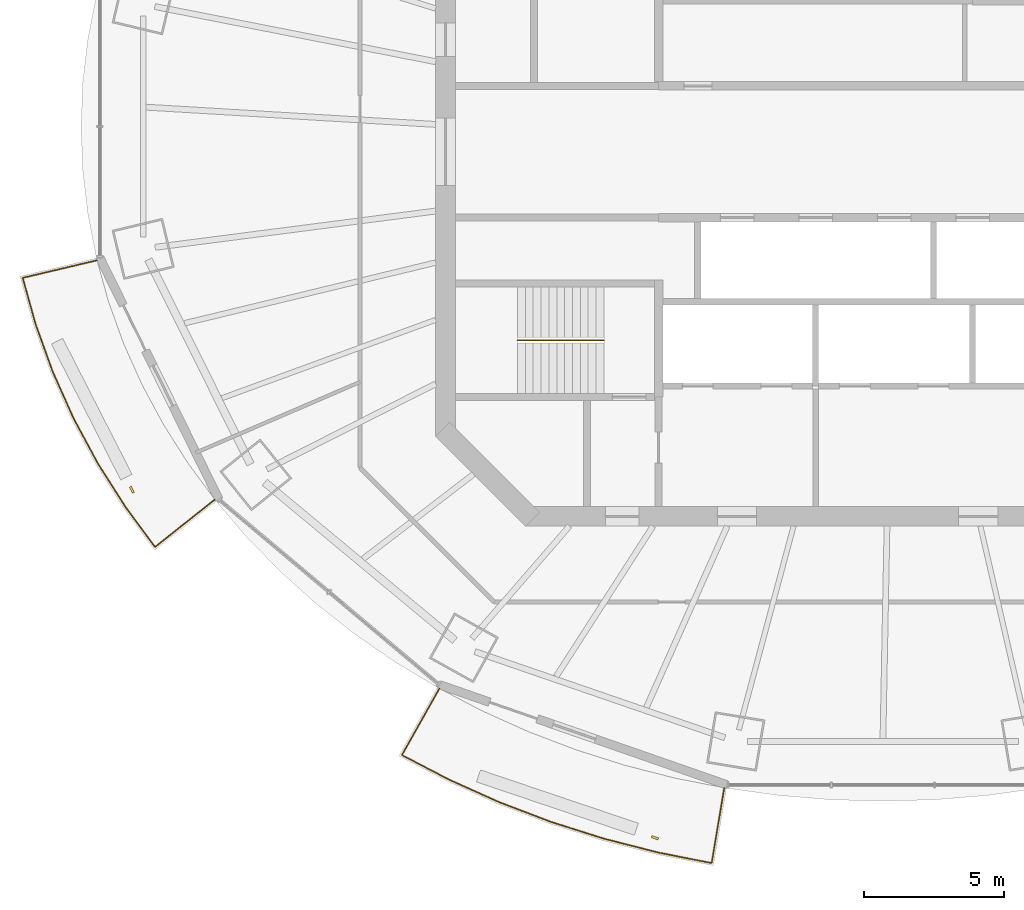
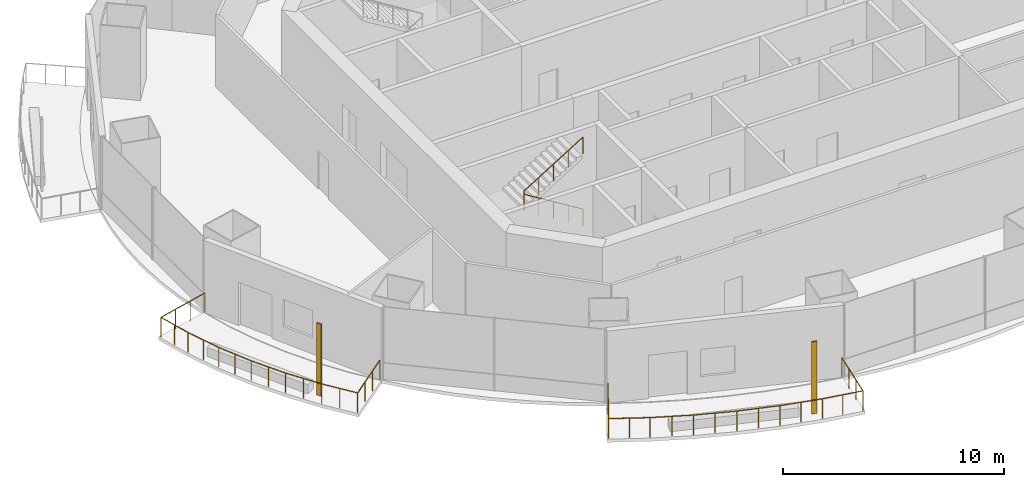
# One storey, part 12 of 16: 3 railings, 2 shading devices.
"""IFC4 building model written with IfcOpenShell, lengths in metres."""

import ifcopenshell
import ifcopenshell.guid

model = None  # the IFC model being written
_history = None  # IfcOwnerHistory: only IFC2X3 demands one
_inside = {}  # id of a spatial element -> (the spatial element, [elements in it])
_under = {}  # id of a project, library or spatial element -> (it, [spatial elements below it])
_declared = {}  # id of a project -> (the project, [libraries it declares])
_typed = {}  # id of a type object -> (the type object, [elements of that type])
_made_of = {}  # id of a material, layer set ... -> (it, [elements and type objects made of it])


def new_model(schema):
    """Start an empty IFC model of exactly this schema.

    Asked for "IFC4X3", IfcOpenShell would pick the latest addendum, in which some entities
    have other attributes; the version numbers below select the first issue.
    IFC2X3 requires an IfcOwnerHistory on every rooted entity: one is made here for all.
    """
    global model, _history
    if schema == "IFC4X3":
        model = ifcopenshell.file(schema_version=(4, 3, 0, 0))
    else:
        model = ifcopenshell.file(schema=schema)
    _inside.clear()
    _under.clear()
    _declared.clear()
    _typed.clear()
    _made_of.clear()
    _history = None
    if model.schema == "IFC2X3":
        org = make("IfcOrganization", Name="unknown")
        user = make(
            "IfcPersonAndOrganization",
            ThePerson=make("IfcPerson", FamilyName="unknown"),
            TheOrganization=org,
        )
        app = make(
            "IfcApplication",
            ApplicationDeveloper=org,
            Version="unknown",
            ApplicationFullName="unknown",
            ApplicationIdentifier="unknown",
        )
        _history = make(
            "IfcOwnerHistory",
            OwningUser=user,
            OwningApplication=app,
            ChangeAction="ADDED",
            CreationDate=0,
        )
    return model


def make(cls, **values):
    """One entity of the class cls with the attributes given. An attribute that is None is left unset."""
    return model.create_entity(
        cls, **{name: value for name, value in values.items() if value is not None}
    )


def rooted(cls, **values):
    """An entity with a GlobalId (a new one), such as an element, a storey or a relation."""
    return make(cls, GlobalId=ifcopenshell.guid.new(), OwnerHistory=_history, **values)


def si_unit(unit_type, name, prefix=None):
    """IfcSIUnit, for example si_unit("LENGTHUNIT", "METRE", prefix="MILLI")."""
    return make("IfcSIUnit", UnitType=unit_type, Prefix=prefix, Name=name)


def assignment(units):
    """IfcUnitAssignment: the units of a project."""
    return None if units is None else make("IfcUnitAssignment", Units=units)


def point(xyz):
    """IfcCartesianPoint."""
    return None if xyz is None else make("IfcCartesianPoint", Coordinates=xyz)


def direction(xyz):
    """IfcDirection."""
    return None if xyz is None else make("IfcDirection", DirectionRatios=xyz)


def frame(location, z_axis=None, x_axis=None):
    """IfcAxis2Placement3D, a coordinate frame: its origin and axes. An axis left out is left unset."""
    return make(
        "IfcAxis2Placement3D",
        Location=point(location),
        Axis=direction(z_axis),
        RefDirection=direction(x_axis),
    )


def frame_2d(location, x_axis=None):
    """IfcAxis2Placement2D, a coordinate frame in the plane: its origin and x axis."""
    return make(
        "IfcAxis2Placement2D", Location=point(location), RefDirection=direction(x_axis)
    )


def origin():
    """The frame at (0, 0, 0) with its axes left unset."""
    return frame((0.0, 0.0, 0.0))


def origin_2d():
    """The frame at (0, 0) in the plane with its x axis left unset."""
    return frame_2d((0.0, 0.0))


def place(relative_to, where):
    """IfcLocalPlacement: puts the frame where relative to a parent placement (None: the world)."""
    return make(
        "IfcLocalPlacement", PlacementRelTo=relative_to, RelativePlacement=where
    )


def context(
    kind, dimensions, precision=None, world=None, true_north=None, identifier=None
):
    """IfcGeometricRepresentationContext, for example the 3D "Model" context."""
    return make(
        "IfcGeometricRepresentationContext",
        ContextIdentifier=identifier,
        ContextType=kind,
        CoordinateSpaceDimension=dimensions,
        Precision=precision,
        WorldCoordinateSystem=world,
        TrueNorth=true_north,
    )


def subcontext(parent, identifier, kind, view, scale=None):
    """IfcGeometricRepresentationSubContext, for example "Body" below "Model"."""
    return make(
        "IfcGeometricRepresentationSubContext",
        ContextIdentifier=identifier,
        ContextType=kind,
        ParentContext=parent,
        TargetScale=scale,
        TargetView=view,
    )


def project(units=None, contexts=None):
    """IfcProject with its units and contexts."""
    return rooted(
        "IfcProject",
        Name="project",
        RepresentationContexts=contexts,
        UnitsInContext=assignment(units),
    )


def spatial(cls, under=None, at=None, **own):
    """A site, building, storey or space (cls), placed at a placement, below another one or the project."""
    s = rooted(cls, ObjectPlacement=at, **own)
    if under is not None:
        _under.setdefault(under.id(), (under, []))[1].append(s)
    return s


def profile(cls, at=None, kind="AREA", **sizes):
    """A parametric profile (cls). Its sizes go by their IFC names, for example OverallWidth=200.0."""
    return make(cls, ProfileType=kind, Position=at, **sizes)


def rectangle(**sizes):
    """IfcRectangleProfileDef."""
    return profile("IfcRectangleProfileDef", **sizes)


def circle(**sizes):
    """IfcCircleProfileDef."""
    return profile("IfcCircleProfileDef", **sizes)


def extrude(swept, where, along, depth):
    """IfcExtrudedAreaSolid: the profile swept, set in the frame where, extruded along a direction by depth."""
    return make(
        "IfcExtrudedAreaSolid",
        SweptArea=swept,
        Position=where,
        ExtrudedDirection=direction(along),
        Depth=depth,
    )


def shape(context_of_items, identifier, shape_type, items):
    """IfcShapeRepresentation: the items that make up one representation, for example the "Body"."""
    return make(
        "IfcShapeRepresentation",
        ContextOfItems=context_of_items,
        RepresentationIdentifier=identifier,
        RepresentationType=shape_type,
        Items=items,
    )


def material(Name=None, Category=None):
    """IfcMaterial."""
    return make("IfcMaterial", Name=Name, Category=Category)


def material_profile(
    of_material, cross_section, Name=None, Category=None, Priority=None
):
    """IfcMaterialProfile: a cross section and its material."""
    return make(
        "IfcMaterialProfile",
        Name=Name,
        Material=of_material,
        Profile=cross_section,
        Priority=Priority,
        Category=Category,
    )


def profile_set(profiles, Name=None, composite=None):
    """IfcMaterialProfileSet."""
    return make(
        "IfcMaterialProfileSet",
        Name=Name,
        MaterialProfiles=profiles,
        CompositeProfile=composite,
    )


def made_of(thing, what):
    """Note that an element or type object is made of a material, layer set ...; save() writes the relation."""
    if what is not None:
        _made_of.setdefault(what.id(), (what, []))[1].append(thing)
    return thing


def type_object(cls, material=None, **own):
    """A type object (cls), such as IfcWallType, which elements share."""
    return made_of(rooted(cls, **own), material)


def element(
    cls,
    number,
    at=None,
    inside=None,
    cuts=None,
    type_object=None,
    material=None,
    context=None,
    identifier="Body",
    shape_type=None,
    held_by="IfcProductDefinitionShape",
    body=None,
    shapes=None,
    **own,
):
    """One element of the class cls, such as IfcWall. Its Tag is "e" and its number.

    at: its placement. inside: the storey or other place that contains it. cuts: it is an
    opening in that element (IfcRelVoidsElement). A single representation is given by context,
    identifier, shape_type and body (its items); several are given by shapes. held_by: the class
    of the entity that holds the representations. save() writes the other relations.
    """
    e = rooted(cls, Tag="e%d" % number, ObjectPlacement=at, **own)
    if body is not None:
        shapes = [shape(context, identifier, shape_type, body)]
    if shapes is not None:
        e.Representation = make(held_by, Representations=shapes)
    if inside is not None:
        _inside.setdefault(inside.id(), (inside, []))[1].append(e)
    if cuts is not None:
        rooted(
            "IfcRelVoidsElement", RelatingBuildingElement=cuts, RelatedOpeningElement=e
        )
    if type_object is not None:
        _typed.setdefault(type_object.id(), (type_object, []))[1].append(e)
    return made_of(e, material)


def aggregate(whole, parts):
    """IfcRelAggregates: a whole, such as a stair, and the parts it consists of."""
    return rooted("IfcRelAggregates", RelatingObject=whole, RelatedObjects=parts)


def save(model, path):
    """Write the relations noted so far, then the file.

    IfcRelAggregates (storeys below a building ...), IfcRelContainedInSpatialStructure (elements
    in a storey), IfcRelDefinesByType, IfcRelAssociatesMaterial and IfcRelDeclares: one each for
    every whole, place, type object, material and project.
    """
    for whole, parts in _under.values():
        aggregate(whole, parts)
    for where, things in _inside.values():
        rooted(
            "IfcRelContainedInSpatialStructure",
            RelatedElements=things,
            RelatingStructure=where,
        )
    for kind, things in _typed.values():
        rooted("IfcRelDefinesByType", RelatedObjects=things, RelatingType=kind)
    for what, things in _made_of.values():
        rooted("IfcRelAssociatesMaterial", RelatedObjects=things, RelatingMaterial=what)
    for by, libraries in _declared.values():
        rooted("IfcRelDeclares", RelatingContext=by, RelatedDefinitions=libraries)
    model.write(path)


model = new_model("IFC4")

# Units and contexts
model_context = context("Model", 3, precision=1e-05, world=origin(), true_north=direction((0.0, 1.0)))
body_context = subcontext(model_context, "Body", "Model", "MODEL_VIEW")
ifc_project = project(units=[si_unit("LENGTHUNIT", "METRE"), si_unit("AREAUNIT", "SQUARE_METRE"), si_unit("VOLUMEUNIT", "CUBIC_METRE"), si_unit("PLANEANGLEUNIT", "RADIAN"), si_unit("MASSUNIT", "GRAM", prefix="KILO")], contexts=[model_context])

# Site, building, storey
site_placement = place(None, origin())
site = spatial("IfcSite", under=ifc_project, at=site_placement, CompositionType="ELEMENT")
building_placement = place(site_placement, origin())
building = spatial("IfcBuilding", under=site, at=building_placement, Name="Marenthal Gate Tower", CompositionType="ELEMENT")
storey_placement = place(building_placement, frame((0.0, 0.0, 305.25)))
storey = spatial("IfcBuildingStorey", under=building, at=storey_placement, Name="L68", CompositionType="ELEMENT", Elevation=305.25)

# Railings
ifc_material_1 = material(Name="Stainless steel", Category="steel")
railing_type_1 = type_object("IfcRailingType", Name="Balcony guard 1100", PredefinedType="GUARDRAIL", material=ifc_material_1)
railing_1_placement = place(storey_placement, frame((-24.2265625, -12.4033203125, 0.0)))
element("IfcRailing", 1, at=railing_1_placement, inside=storey, type_object=railing_type_1, Name="Balcony guard L68 bay 9", PredefinedType="GUARDRAIL", context=body_context, shape_type="SweptSolid", body=[
    extrude(circle(Radius=0.02392578125, at=origin_2d()), frame((0.0, 0.0, 1.076171875), z_axis=(-0.783299764569, -0.621469871648, -0.014719968075), x_axis=(0.621537211848, -0.783384640064, 0.0)), (0.0, 0.0, 1.0), 2.719970703125),
    extrude(circle(Radius=0.02392578125, at=origin_2d()), frame((-2.130615234375, -1.6904296875, 1.0361328125), z_axis=(-0.593189639739, 0.80506276234, 0.0), x_axis=(-0.80506276234, -0.593189639739, 0.0)), (0.0, 0.0, 1.0), 1.772216796875),
    extrude(circle(Radius=0.02392578125, at=origin_2d()), frame((-3.181884765625, -0.263671875, 1.0361328125), z_axis=(-0.536179368299, 0.844104072381, 0.0), x_axis=(-0.844104072381, -0.536179368299, 0.0)), (0.0, 0.0, 1.0), 1.838623046875),
    extrude(circle(Radius=0.02392578125, at=origin_2d()), frame((-4.167724609375, 1.288330078125, 1.0361328125), z_axis=(-0.474067933151, 0.880488270653, 0.0), x_axis=(-0.880488270653, -0.474067933151, 0.0)), (0.0, 0.0, 1.0), 1.826171875),
    extrude(circle(Radius=0.02392578125, at=origin_2d()), frame((-5.033447265625, 2.896240234375, 1.0361328125), z_axis=(-0.408333619035, 0.912832764292, 0.0), x_axis=(-0.912832764292, -0.408333619035, 0.0)), (0.0, 0.0, 1.0), 1.815185546875),
    extrude(circle(Radius=0.02392578125, at=origin_2d()), frame((-5.774658203125, 4.55322265625, 1.0361328125), z_axis=(-0.33909288178, 0.940752899292, 0.0), x_axis=(-0.940752899292, -0.33909288178, 0.0)), (0.0, 0.0, 1.0), 1.8056640625),
    extrude(circle(Radius=0.02392578125, at=origin_2d()), frame((-6.386962890625, 6.251953125, 1.0361328125), z_axis=(-0.268728447288, 0.963215978698, 0.0), x_axis=(-0.963215978698, -0.268728447288, 0.0)), (0.0, 0.0, 1.0), 1.718017578125),
    extrude(circle(Radius=0.02392578125, at=origin_2d()), frame((-6.8486328125, 7.90673828125, 1.0361328125), z_axis=(0.973117172157, 0.229839811666, 0.014718363574), x_axis=(-0.229864710837, 0.973222592582, 0.0)), (0.0, 0.0, 1.0), 2.720458984375),
    extrude(circle(Radius=0.02099609375, at=origin_2d()), origin(), (0.0, 0.0, 1.0), 1.052001953125),
    extrude(circle(Radius=0.02099609375, at=origin_2d()), frame((-0.710205078125, -0.5634765625, -0.013427734375)), (0.0, 0.0, 1.0), 1.052001953125),
    extrude(circle(Radius=0.02099609375, at=origin_2d()), frame((-1.42041015625, -1.126953125, -0.026611328125)), (0.0, 0.0, 1.0), 1.052001953125),
    extrude(circle(Radius=0.02099609375, at=origin_2d()), frame((-2.130615234375, -1.6904296875, -0.0400390625)), (0.0, 0.0, 1.0), 1.052001953125),
    extrude(circle(Radius=0.02099609375, at=origin_2d()), frame((-2.65625, -0.97705078125, -0.0400390625)), (0.0, 0.0, 1.0), 1.052001953125),
    extrude(circle(Radius=0.02099609375, at=origin_2d()), frame((-3.181884765625, -0.263671875, -0.0400390625)), (0.0, 0.0, 1.0), 1.052001953125),
    extrude(circle(Radius=0.02099609375, at=origin_2d()), frame((-3.6748046875, 0.51220703125, -0.0400390625)), (0.0, 0.0, 1.0), 1.052001953125),
    extrude(circle(Radius=0.02099609375, at=origin_2d()), frame((-4.167724609375, 1.288330078125, -0.0400390625)), (0.0, 0.0, 1.0), 1.052001953125),
    extrude(circle(Radius=0.02099609375, at=origin_2d()), frame((-4.6005859375, 2.09228515625, -0.0400390625)), (0.0, 0.0, 1.0), 1.052001953125),
    extrude(circle(Radius=0.02099609375, at=origin_2d()), frame((-5.033447265625, 2.896240234375, -0.0400390625)), (0.0, 0.0, 1.0), 1.052001953125),
    extrude(circle(Radius=0.02099609375, at=origin_2d()), frame((-5.404052734375, 3.724609375, -0.0400390625)), (0.0, 0.0, 1.0), 1.052001953125),
    extrude(circle(Radius=0.02099609375, at=origin_2d()), frame((-5.774658203125, 4.55322265625, -0.0400390625)), (0.0, 0.0, 1.0), 1.052001953125),
    extrude(circle(Radius=0.02099609375, at=origin_2d()), frame((-6.080810546875, 5.402587890625, -0.0400390625)), (0.0, 0.0, 1.0), 1.052001953125),
    extrude(circle(Radius=0.02099609375, at=origin_2d()), frame((-6.386962890625, 6.251953125, -0.0400390625)), (0.0, 0.0, 1.0), 1.052001953125),
    extrude(circle(Radius=0.02099609375, at=origin_2d()), frame((-6.61767578125, 7.079345703125, -0.0400390625)), (0.0, 0.0, 1.0), 1.052001953125),
    extrude(circle(Radius=0.02099609375, at=origin_2d()), frame((-6.8486328125, 7.90673828125, -0.0400390625)), (0.0, 0.0, 1.0), 1.052001953125),
    extrude(circle(Radius=0.02099609375, at=origin_2d()), frame((-5.96630859375, 8.115234375, -0.026611328125)), (0.0, 0.0, 1.0), 1.052001953125),
    extrude(circle(Radius=0.02099609375, at=origin_2d()), frame((-5.083740234375, 8.323486328125, -0.013427734375)), (0.0, 0.0, 1.0), 1.052001953125),
    extrude(circle(Radius=0.02099609375, at=origin_2d()), frame((-4.201416015625, 8.531982421875, 0.0)), (0.0, 0.0, 1.0), 1.052001953125),
])
railing_2_placement = place(storey_placement, frame((-6.0576171875, -22.6826171875, 0.0)))
element("IfcRailing", 2, at=railing_2_placement, inside=storey, type_object=railing_type_1, Name="Balcony guard L68 bay 11", PredefinedType="GUARDRAIL", context=body_context, shape_type="SweptSolid", body=[
    extrude(circle(Radius=0.02392578125, at=origin_2d()), frame((0.0, 0.0, 1.076171875), z_axis=(-0.165225230724, -0.986146026723, -0.014718597414), x_axis=(0.986252861995, -0.165243130591, 0.0)), (0.0, 0.0, 1.0), 2.72021484375),
    extrude(circle(Radius=0.02392578125, at=origin_2d()), frame((-0.449462890625, -2.6826171875, 1.0361328125), z_axis=(-0.981054729466, 0.193730786897, 0.0), x_axis=(-0.193730786897, -0.981054729466, 0.0)), (0.0, 0.0, 1.0), 1.929443359375),
    extrude(circle(Radius=0.02392578125, at=origin_2d()), frame((-2.34228515625, -2.308837890625, 1.0361328125), z_axis=(-0.968925174526, 0.247354009811, 0.0), x_axis=(-0.247354009811, -0.968925174526, 0.0)), (0.0, 0.0, 1.0), 2.001708984375),
    extrude(circle(Radius=0.02392578125, at=origin_2d()), frame((-4.28173828125, -1.813720703125, 1.0361328125), z_axis=(-0.95337689514, 0.301782199297, 0.0), x_axis=(-0.301782199297, -0.95337689514, 0.0)), (0.0, 0.0, 1.0), 1.99267578125),
    extrude(circle(Radius=0.02392578125, at=origin_2d()), frame((-6.181396484375, -1.21240234375, 1.0361328125), z_axis=(-0.934386218754, 0.356261693426, 0.0), x_axis=(-0.356261693426, -0.934386218754, 0.0)), (0.0, 0.0, 1.0), 1.98193359375),
    extrude(circle(Radius=0.02392578125, at=origin_2d()), frame((-8.033203125, -0.50634765625, 1.0361328125), z_axis=(-0.91201888662, 0.410148205467, 0.0), x_axis=(-0.410148205467, -0.91201888662, 0.0)), (0.0, 0.0, 1.0), 1.9697265625),
    extrude(circle(Radius=0.02392578125, at=origin_2d()), frame((-9.82958984375, 0.301513671875, 1.0361328125), z_axis=(-0.886647463559, 0.46244597021, 0.0), x_axis=(-0.46244597021, -0.886647463559, 0.0)), (0.0, 0.0, 1.0), 1.876708984375),
    extrude(circle(Radius=0.02392578125, at=origin_2d()), frame((-11.49365234375, 1.16943359375, 1.0361328125), z_axis=(0.490391346697, 0.871378035337, 0.014718920362), x_axis=(-0.871472441229, 0.490444476143, 0.0)), (0.0, 0.0, 1.0), 2.72021484375),
    extrude(circle(Radius=0.02099609375, at=origin_2d()), origin(), (0.0, 0.0, 1.0), 1.052001953125),
    extrude(circle(Radius=0.02099609375, at=origin_2d()), frame((-0.14990234375, -0.894287109375, -0.013427734375)), (0.0, 0.0, 1.0), 1.052001953125),
    extrude(circle(Radius=0.02099609375, at=origin_2d()), frame((-0.299560546875, -1.788330078125, -0.026611328125)), (0.0, 0.0, 1.0), 1.052001953125),
    extrude(circle(Radius=0.02099609375, at=origin_2d()), frame((-0.449462890625, -2.6826171875, -0.0400390625)), (0.0, 0.0, 1.0), 1.052001953125),
    extrude(circle(Radius=0.02099609375, at=origin_2d()), frame((-1.39599609375, -2.49560546875, -0.0400390625)), (0.0, 0.0, 1.0), 1.052001953125),
    extrude(circle(Radius=0.02099609375, at=origin_2d()), frame((-2.34228515625, -2.308837890625, -0.0400390625)), (0.0, 0.0, 1.0), 1.052001953125),
    extrude(circle(Radius=0.02099609375, at=origin_2d()), frame((-3.31201171875, -2.061279296875, -0.0400390625)), (0.0, 0.0, 1.0), 1.052001953125),
    extrude(circle(Radius=0.02099609375, at=origin_2d()), frame((-4.28173828125, -1.813720703125, -0.0400390625)), (0.0, 0.0, 1.0), 1.052001953125),
    extrude(circle(Radius=0.02099609375, at=origin_2d()), frame((-5.2314453125, -1.51318359375, -0.0400390625)), (0.0, 0.0, 1.0), 1.052001953125),
    extrude(circle(Radius=0.02099609375, at=origin_2d()), frame((-6.181396484375, -1.21240234375, -0.0400390625)), (0.0, 0.0, 1.0), 1.052001953125),
    extrude(circle(Radius=0.02099609375, at=origin_2d()), frame((-7.107421875, -0.859375, -0.0400390625)), (0.0, 0.0, 1.0), 1.052001953125),
    extrude(circle(Radius=0.02099609375, at=origin_2d()), frame((-8.033203125, -0.50634765625, -0.0400390625)), (0.0, 0.0, 1.0), 1.052001953125),
    extrude(circle(Radius=0.02099609375, at=origin_2d()), frame((-8.931396484375, -0.1025390625, -0.0400390625)), (0.0, 0.0, 1.0), 1.052001953125),
    extrude(circle(Radius=0.02099609375, at=origin_2d()), frame((-9.82958984375, 0.301513671875, -0.0400390625)), (0.0, 0.0, 1.0), 1.052001953125),
    extrude(circle(Radius=0.02099609375, at=origin_2d()), frame((-10.66162109375, 0.7353515625, -0.0400390625)), (0.0, 0.0, 1.0), 1.052001953125),
    extrude(circle(Radius=0.02099609375, at=origin_2d()), frame((-11.49365234375, 1.16943359375, -0.0400390625)), (0.0, 0.0, 1.0), 1.052001953125),
    extrude(circle(Radius=0.02099609375, at=origin_2d()), frame((-11.049072265625, 1.95947265625, -0.026611328125)), (0.0, 0.0, 1.0), 1.052001953125),
    extrude(circle(Radius=0.02099609375, at=origin_2d()), frame((-10.604248046875, 2.749755859375, -0.013427734375)), (0.0, 0.0, 1.0), 1.052001953125),
    extrude(circle(Radius=0.02099609375, at=origin_2d()), frame((-10.15966796875, 3.539794921875, 0.0)), (0.0, 0.0, 1.0), 1.052001953125),
])
ifc_material_2 = material(Name="Stainless steel", Category="steel")
railing_type_2 = type_object("IfcRailingType", Name="Stair handrail", PredefinedType="HANDRAIL", material=ifc_material_2)
railing_3_placement = place(storey_placement, frame((-10.35009765625, -6.72509765625, 0.1728515625)))
element("IfcRailing", 3, at=railing_3_placement, inside=storey, type_object=railing_type_2, Name="Handrail ST2", PredefinedType="HANDRAIL", context=body_context, shape_type="SweptSolid", body=[
    extrude(circle(Radius=0.0224609375, at=origin_2d()), frame((0.0, 0.0, 0.927490234375), z_axis=(-0.850816621229, 0.0, 0.525462726595), x_axis=(0.0, -1.0, 0.0)), (0.0, 0.0, 1.0), 3.619873046875),
    extrude(circle(Radius=0.0224609375, at=origin_2d()), frame((-3.079833984375, 0.0, 2.82958984375), z_axis=(0.0, 0.0, 1.0), x_axis=(1.0, 0.0, 0.0)), (0.0, 0.0, 1.0), 0.1728515625),
    extrude(circle(Radius=0.0224609375, at=origin_2d()), frame((-3.079833984375, 0.0, 3.00244140625), z_axis=(0.850816621229, 0.0, 0.525462726595), x_axis=(0.0, 1.0, 0.0)), (0.0, 0.0, 1.0), 3.619873046875),
    extrude(circle(Radius=0.02001953125, at=origin_2d()), origin(), (0.0, 0.0, 1.0), 0.905029296875),
    extrude(circle(Radius=0.02001953125, at=origin_2d()), frame((-0.77001953125, 0.0, 0.4755859375)), (0.0, 0.0, 1.0), 0.905029296875),
    extrude(circle(Radius=0.02001953125, at=origin_2d()), frame((-1.5400390625, 0.0, 0.951171875)), (0.0, 0.0, 1.0), 0.905029296875),
    extrude(circle(Radius=0.02001953125, at=origin_2d()), frame((-2.309814453125, 0.0, 1.426513671875)), (0.0, 0.0, 1.0), 0.905029296875),
    extrude(circle(Radius=0.02001953125, at=origin_2d()), frame((-3.079833984375, 0.0, 1.902099609375)), (0.0, 0.0, 1.0), 0.905029296875),
    extrude(circle(Radius=0.02001953125, at=origin_2d()), frame((-3.079833984375, 0.0, 2.074951171875)), (0.0, 0.0, 1.0), 0.905029296875),
    extrude(circle(Radius=0.02001953125, at=origin_2d()), frame((-2.309814453125, 0.0, 2.550537109375)), (0.0, 0.0, 1.0), 0.905029296875),
    extrude(circle(Radius=0.02001953125, at=origin_2d()), frame((-1.5400390625, 0.0, 3.02587890625)), (0.0, 0.0, 1.0), 0.905029296875),
    extrude(circle(Radius=0.02001953125, at=origin_2d()), frame((-0.77001953125, 0.0, 3.50146484375)), (0.0, 0.0, 1.0), 0.905029296875),
    extrude(circle(Radius=0.02001953125, at=origin_2d()), frame((0.0, 0.0, 3.97705078125)), (0.0, 0.0, 1.0), 0.905029296875),
])

# Shading devices
ifc_material_3 = material(Name="Terracotta", Category="masonry")
ifc_material_profile = material_profile(ifc_material_3, rectangle(XDim=0.25, YDim=0.080078125, at=origin_2d()), Name="Terracotta baguette 250x80")
ifc_profile_set = profile_set([ifc_material_profile], Name="Terracotta")
shading_device_type = type_object("IfcShadingDeviceType", Name="Terracotta BAGUETTE SCREEN 250x80", PredefinedType="USERDEFINED", material=ifc_profile_set)
for number, where, z_axis, x_axis, name in (
    (4, (-27.18505859375, -12.05078125, -0.0400390625), (0.0, 0.0, 1.0), (0.441623511691, -0.897200464735, 0.0), "Terracotta BAGUETTE L68 bay 9R"),
    (5, (-8.529541015625, -24.462646484375, -0.0400390625), (0.0, 0.0, 1.0), (0.944279584145, -0.329144446962, 0.0), "Terracotta BAGUETTE L68 bay 11R"),
):
    element("IfcShadingDevice", number, at=place(storey_placement, frame(where, z_axis=z_axis, x_axis=x_axis)), inside=storey, type_object=shading_device_type, Name=name, ObjectType="BAGUETTE SCREEN", PredefinedType="USERDEFINED", context=body_context, shape_type="SweptSolid", body=[
        extrude(rectangle(XDim=0.25, YDim=0.080078125, at=origin_2d()), origin(), (0.0, 0.0, 1.0), 3.969970703125),
    ])

save(model, "model.ifc")
